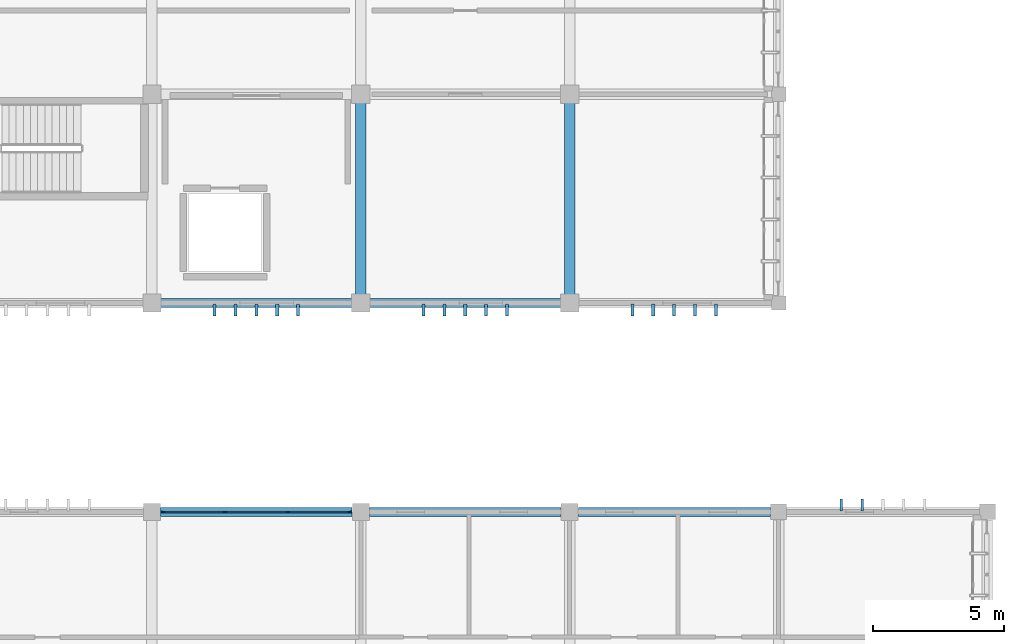
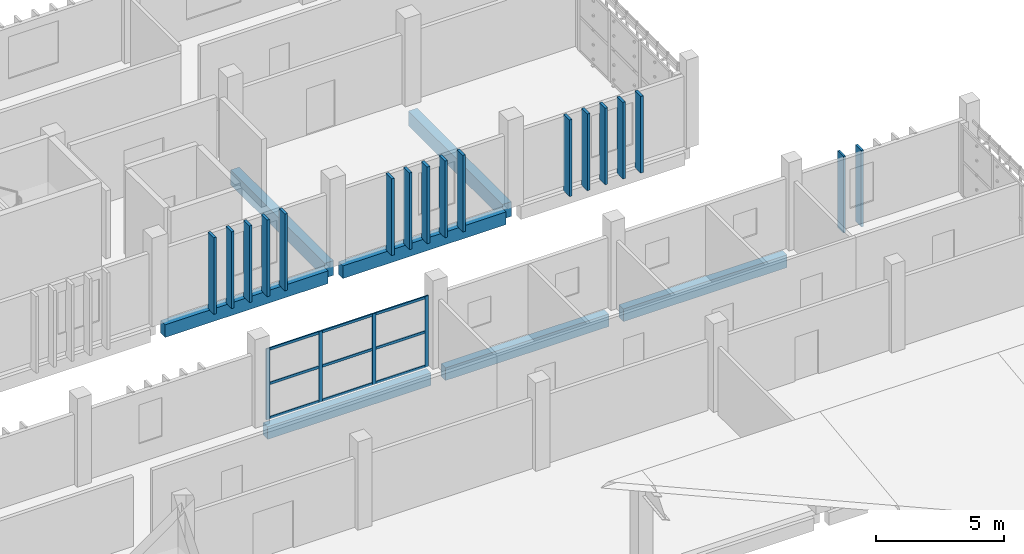
# One storey, part 51 of 83: 30 members, 7 beams, 1 element without a shape of its own.
"""IFC4 building model written with IfcOpenShell, lengths in metres."""

from ifc_helpers import new_model, si_unit, direction, frame, origin, origin_2d, place, context, subcontext, project, spatial, rectangle, extrude, material, layer, layer_set, material_profile, profile_set, type_object, element, aggregate, save


model = new_model("IFC4")

# Units and contexts
model_context = context("Model", 3, precision=1e-05, world=origin(), true_north=direction((0.0, 1.0)))
body_context = subcontext(model_context, "Body", "Model", "MODEL_VIEW")
ifc_project = project(units=[si_unit("LENGTHUNIT", "METRE"), si_unit("AREAUNIT", "SQUARE_METRE"), si_unit("VOLUMEUNIT", "CUBIC_METRE"), si_unit("PLANEANGLEUNIT", "RADIAN"), si_unit("MASSUNIT", "GRAM", prefix="KILO")], contexts=[model_context])

# Site, building, storey
site_placement = place(None, origin())
site = spatial("IfcSite", under=ifc_project, at=site_placement, CompositionType="ELEMENT")
building_placement = place(site_placement, origin())
building = spatial("IfcBuilding", under=site, at=building_placement, Name="Jelvoka-Kovrelna Polytechnic", CompositionType="ELEMENT")
storey_placement = place(building_placement, frame((0.0, 0.0, 13.800048828125)))
storey = spatial("IfcBuildingStorey", under=building, at=storey_placement, Name="L04", CompositionType="ELEMENT", Elevation=13.800048828125)

# Beams
ifc_material_1 = material(Name="Concrete C40/50", Category="concrete")
ifc_material_profile_1 = material_profile(ifc_material_1, rectangle(XDim=0.39990234375, YDim=0.699951171875, at=origin_2d()), Name="RC 400x700")
ifc_profile_set_1 = profile_set([ifc_material_profile_1], Name="Concrete C40/50")
beam_type_1 = type_object("IfcBeamType", Name="Beam_RC_400x700", PredefinedType="BEAM", material=ifc_profile_set_1)
for number, where, z_axis, x_axis, name in (
    (1, (176.0, 56.330078125, -0.60009765625), (0.0, 1.0, 0.0), (-1.0, 0.0, 0.0), "L04 beam 1336"),
    (2, (184.0, 56.330078125, -0.60009765625), (0.0, 1.0, 0.0), (-1.0, 0.0, 0.0), "L04 beam 1338"),
):
    element("IfcBeam", number, at=place(storey_placement, frame(where, z_axis=z_axis, x_axis=x_axis)), inside=storey, type_object=beam_type_1, Name=name, PredefinedType="BEAM", context=body_context, shape_type="SweptSolid", body=[
        extrude(rectangle(XDim=0.39990234375, YDim=0.699951171875, at=origin_2d()), origin(), (0.0, 0.0, 1.0), 7.33984375),
    ])

# Members
ifc_material_2 = material(Name="Precast concrete C40/50", Category="concrete")
ifc_material_profile_2 = material_profile(ifc_material_2, rectangle(XDim=0.10009765625, YDim=0.449951171875, at=origin_2d()), Name="PC 100x450")
ifc_profile_set_2 = profile_set([ifc_material_profile_2], Name="Precast concrete C40/50")
member_type_1 = type_object("IfcMemberType", Name="Louvre_Fin_100x450", PredefinedType="USERDEFINED", material=ifc_profile_set_2)
for number, where, z_axis, x_axis, name in (
    (3, (194.39990234375, 48.264892578125, -0.27001953125), (0.0, 0.0, 1.0), (1.0, 0.0, 0.0), "L04 B2E north vertical solar louvre fin 1001"),
    (4, (195.199951171875, 48.264892578125, -0.27001953125), (0.0, 0.0, 1.0), (1.0, 0.0, 0.0), "L04 B2E north vertical solar louvre fin 1002"),
):
    element("IfcMember", number, at=place(storey_placement, frame(where, z_axis=z_axis, x_axis=x_axis)), inside=storey, type_object=member_type_1, Name=name, ObjectType="SUNSHADE", PredefinedType="USERDEFINED", context=body_context, shape_type="SweptSolid", body=[
        extrude(rectangle(XDim=0.10009765625, YDim=0.449951171875, at=origin_2d()), origin(), (0.0, 0.0, 1.0), 3.64501953125),
    ])
ifc_material_3 = material(Name="Precast concrete C40/50", Category="concrete")
ifc_material_profile_3 = material_profile(ifc_material_3, rectangle(XDim=0.1201171875, YDim=0.449951171875, at=origin_2d()), Name="PC 120x450")
ifc_profile_set_3 = profile_set([ifc_material_profile_3], Name="Precast concrete C40/50")
member_type_2 = type_object("IfcMemberType", Name="Louvre_Fin_120x450", PredefinedType="USERDEFINED", material=ifc_profile_set_3)
for number, where, z_axis, x_axis, name in (
    (5, (170.39990234375, 55.735107421875, -0.27001953125), (0.0, 0.0, 1.0), (1.0, 0.0, 0.0), "L04 B3 south vertical solar louvre fin 1751"),
    (6, (171.199951171875, 55.735107421875, -0.27001953125), (0.0, 0.0, 1.0), (1.0, 0.0, 0.0), "L04 B3 south vertical solar louvre fin 1752"),
    (7, (172.0, 55.735107421875, -0.27001953125), (0.0, 0.0, 1.0), (1.0, 0.0, 0.0), "L04 B3 south vertical solar louvre fin 1753"),
    (8, (172.800048828125, 55.735107421875, -0.27001953125), (0.0, 0.0, 1.0), (1.0, 0.0, 0.0), "L04 B3 south vertical solar louvre fin 1754"),
    (9, (173.60009765625, 55.735107421875, -0.27001953125), (0.0, 0.0, 1.0), (1.0, 0.0, 0.0), "L04 B3 south vertical solar louvre fin 1755"),
    (10, (178.39990234375, 55.735107421875, -0.27001953125), (0.0, 0.0, 1.0), (1.0, 0.0, 0.0), "L04 B3 south vertical solar louvre fin 1761"),
    (11, (179.199951171875, 55.735107421875, -0.27001953125), (0.0, 0.0, 1.0), (1.0, 0.0, 0.0), "L04 B3 south vertical solar louvre fin 1762"),
    (12, (180.0, 55.735107421875, -0.27001953125), (0.0, 0.0, 1.0), (1.0, 0.0, 0.0), "L04 B3 south vertical solar louvre fin 1763"),
    (13, (180.800048828125, 55.735107421875, -0.27001953125), (0.0, 0.0, 1.0), (1.0, 0.0, 0.0), "L04 B3 south vertical solar louvre fin 1764"),
    (14, (181.60009765625, 55.735107421875, -0.27001953125), (0.0, 0.0, 1.0), (1.0, 0.0, 0.0), "L04 B3 south vertical solar louvre fin 1765"),
    (15, (186.39990234375, 55.735107421875, -0.27001953125), (0.0, 0.0, 1.0), (1.0, 0.0, 0.0), "L04 B3 south vertical solar louvre fin 1771"),
    (16, (187.199951171875, 55.735107421875, -0.27001953125), (0.0, 0.0, 1.0), (1.0, 0.0, 0.0), "L04 B3 south vertical solar louvre fin 1772"),
    (17, (188.0, 55.735107421875, -0.27001953125), (0.0, 0.0, 1.0), (1.0, 0.0, 0.0), "L04 B3 south vertical solar louvre fin 1773"),
    (18, (188.800048828125, 55.735107421875, -0.27001953125), (0.0, 0.0, 1.0), (1.0, 0.0, 0.0), "L04 B3 south vertical solar louvre fin 1774"),
    (19, (189.60009765625, 55.735107421875, -0.27001953125), (0.0, 0.0, 1.0), (1.0, 0.0, 0.0), "L04 B3 south vertical solar louvre fin 1775"),
):
    element("IfcMember", number, at=place(storey_placement, frame(where, z_axis=z_axis, x_axis=x_axis)), inside=storey, type_object=member_type_2, Name=name, ObjectType="SUNSHADE", PredefinedType="USERDEFINED", context=body_context, shape_type="SweptSolid", body=[
        extrude(rectangle(XDim=0.1201171875, YDim=0.449951171875, at=origin_2d()), origin(), (0.0, 0.0, 1.0), 3.64501953125),
    ])

# Curtain wall, members
ifc_material_4 = material(Name="Anodised aluminium 6063-T6", Category="aluminium")
ifc_layer = layer(ifc_material_4, 0.159912109375)
ifc_layer_set = layer_set([ifc_layer], Name="Anodised aluminium 6063-T6")
curtain_wall_type = type_object("IfcCurtainWallType", Name="CW_Recessed_A", PredefinedType="NOTDEFINED", material=ifc_layer_set)
curtain_wall_placement = place(storey_placement, origin())
curtain_wall = element("IfcCurtainWall", 20, at=curtain_wall_placement, inside=storey, type_object=curtain_wall_type, Name="L04 glazed curtain wall 065", PredefinedType="NOTDEFINED")
ifc_material_5 = material(Name="Anodised aluminium 6063-T6", Category="aluminium")
ifc_material_profile_4 = material_profile(ifc_material_5, rectangle(XDim=0.06005859375, YDim=0.159912109375, at=origin_2d()), Name="ALU 60x160")
ifc_profile_set_4 = profile_set([ifc_material_profile_4], Name="Anodised aluminium 6063-T6")
member_type_3 = type_object("IfcMemberType", Name="Mullion_M-01", PredefinedType="MULLION", material=ifc_profile_set_4)
member_1_placement = place(storey_placement, frame((168.429931640625, 48.0, -0.02490234375), z_axis=(0.0, 0.0, 1.0), x_axis=(0.0, 1.0, 0.0)))
member_1 = element("IfcMember", 21, at=member_1_placement, type_object=member_type_3, Name="CW-01 mullion 1", PredefinedType="MULLION", context=body_context, shape_type="SweptSolid", body=[
    extrude(rectangle(XDim=0.06005859375, YDim=0.159912109375, at=origin_2d()), origin(), (0.0, 0.0, 1.0), 3.375),
])
member_2_placement = place(storey_placement, frame((170.800048828125, 48.0, -0.02490234375), z_axis=(0.0, 0.0, 1.0), x_axis=(0.0, 1.0, 0.0)))
member_2 = element("IfcMember", 22, at=member_2_placement, type_object=member_type_3, Name="CW-01 mullion 2", PredefinedType="MULLION", context=body_context, shape_type="SweptSolid", body=[
    extrude(rectangle(XDim=0.06005859375, YDim=0.159912109375, at=origin_2d()), origin(), (0.0, 0.0, 1.0), 3.375),
])
member_3_placement = place(storey_placement, frame((173.199951171875, 48.0, -0.02490234375), z_axis=(0.0, 0.0, 1.0), x_axis=(0.0, 1.0, 0.0)))
member_3 = element("IfcMember", 23, at=member_3_placement, type_object=member_type_3, Name="CW-01 mullion 3", PredefinedType="MULLION", context=body_context, shape_type="SweptSolid", body=[
    extrude(rectangle(XDim=0.06005859375, YDim=0.159912109375, at=origin_2d()), origin(), (0.0, 0.0, 1.0), 3.375),
])
member_4_placement = place(storey_placement, frame((175.570068359375, 48.0, -0.02490234375), z_axis=(0.0, 0.0, 1.0), x_axis=(0.0, 1.0, 0.0)))
member_4 = element("IfcMember", 24, at=member_4_placement, type_object=member_type_3, Name="CW-01 mullion 4", PredefinedType="MULLION", context=body_context, shape_type="SweptSolid", body=[
    extrude(rectangle(XDim=0.06005859375, YDim=0.159912109375, at=origin_2d()), origin(), (0.0, 0.0, 1.0), 3.375),
])

# Beams
ifc_material_6 = material(Name="Concrete C40/50", Category="concrete")
ifc_material_profile_5 = material_profile(ifc_material_6, rectangle(XDim=0.35009765625, YDim=0.60009765625, at=origin_2d()), Name="RC 350x600")
ifc_profile_set_5 = profile_set([ifc_material_profile_5], Name="Concrete C40/50")
beam_type_2 = type_object("IfcBeamType", Name="Spandrel_RC_350x600", PredefinedType="SPANDREL", material=ifc_profile_set_5)
for number, where, z_axis, x_axis, name in (
    (25, (168.330078125, 48.0, -0.550048828125), (1.0, 0.0, 0.0), (0.0, 1.0, 0.0), "L04 beam 1234"),
    (26, (176.330078125, 48.0, -0.550048828125), (1.0, 0.0, 0.0), (0.0, 1.0, 0.0), "L04 beam 1235"),
):
    element("IfcBeam", number, at=place(storey_placement, frame(where, z_axis=z_axis, x_axis=x_axis)), inside=storey, type_object=beam_type_2, Name=name, PredefinedType="SPANDREL", context=body_context, shape_type="SweptSolid", body=[
        extrude(rectangle(XDim=0.35009765625, YDim=0.60009765625, at=origin_2d()), origin(), (0.0, 0.0, 1.0), 7.33984375),
    ])
beam_placement = place(storey_placement, frame((184.330078125, 48.0, -0.550048828125), z_axis=(1.0, 0.0, 0.0), x_axis=(0.0, 1.0, 0.0)))
element("IfcBeam", 27, at=beam_placement, inside=storey, type_object=beam_type_2, Name="L04 beam 1236", PredefinedType="SPANDREL", context=body_context, shape_type="SweptSolid", body=[
    extrude(rectangle(XDim=0.35009765625, YDim=0.60009765625, at=origin_2d()), origin(), (0.0, 0.0, 1.0), 7.364990234375),
])
for number, where, z_axis, x_axis, name in (
    (28, (168.330078125, 56.0, -0.550048828125), (1.0, 0.0, 0.0), (0.0, 1.0, 0.0), "L04 beam 1301"),
    (29, (176.330078125, 56.0, -0.550048828125), (1.0, 0.0, 0.0), (0.0, 1.0, 0.0), "L04 beam 1302"),
):
    element("IfcBeam", number, at=place(storey_placement, frame(where, z_axis=z_axis, x_axis=x_axis)), inside=storey, type_object=beam_type_2, Name=name, PredefinedType="SPANDREL", context=body_context, shape_type="SweptSolid", body=[
        extrude(rectangle(XDim=0.35009765625, YDim=0.60009765625, at=origin_2d()), origin(), (0.0, 0.0, 1.0), 7.33984375),
    ])

# Member
ifc_material_7 = material(Name="Anodised aluminium 6063-T6", Category="aluminium")
ifc_material_profile_6 = material_profile(ifc_material_7, rectangle(XDim=0.06005859375, YDim=0.1201171875, at=origin_2d()), Name="ALU 60x120")
ifc_profile_set_6 = profile_set([ifc_material_profile_6], Name="Anodised aluminium 6063-T6")
member_type_4 = type_object("IfcMemberType", Name="Transom_T-01", PredefinedType="USERDEFINED", material=ifc_profile_set_6)
member_5_placement = place(storey_placement, frame((168.4599609375, 48.0, 0.030029296875), z_axis=(1.0, 0.0, 0.0), x_axis=(0.0, 1.0, 0.0)))
member_5 = element("IfcMember", 30, at=member_5_placement, type_object=member_type_4, Name="CW-01 transom 1.1", ObjectType="TRANSOM", PredefinedType="USERDEFINED", context=body_context, shape_type="SweptSolid", body=[
    extrude(rectangle(XDim=0.06005859375, YDim=0.1201171875, at=origin_2d()), origin(), (0.0, 0.0, 1.0), 2.31005859375),
])

member_6_placement = place(storey_placement, frame((168.4599609375, 48.0, 1.662353515625), z_axis=(1.0, 0.0, 0.0), x_axis=(0.0, 1.0, 0.0)))
member_6 = element("IfcMember", 31, at=member_6_placement, type_object=member_type_4, Name="CW-01 transom 1.2", ObjectType="TRANSOM", PredefinedType="USERDEFINED", context=body_context, shape_type="SweptSolid", body=[
    extrude(rectangle(XDim=0.06005859375, YDim=0.1201171875, at=origin_2d()), origin(), (0.0, 0.0, 1.0), 2.31005859375),
])

member_7_placement = place(storey_placement, frame((168.4599609375, 48.0, 3.294921875), z_axis=(1.0, 0.0, 0.0), x_axis=(0.0, 1.0, 0.0)))
member_7 = element("IfcMember", 32, at=member_7_placement, type_object=member_type_4, Name="CW-01 transom 1.3", ObjectType="TRANSOM", PredefinedType="USERDEFINED", context=body_context, shape_type="SweptSolid", body=[
    extrude(rectangle(XDim=0.06005859375, YDim=0.1201171875, at=origin_2d()), origin(), (0.0, 0.0, 1.0), 2.31005859375),
])

member_8_placement = place(storey_placement, frame((170.830078125, 48.0, 0.030029296875), z_axis=(1.0, 0.0, 0.0), x_axis=(0.0, 1.0, 0.0)))
member_8 = element("IfcMember", 33, at=member_8_placement, type_object=member_type_4, Name="CW-01 transom 2.1", ObjectType="TRANSOM", PredefinedType="USERDEFINED", context=body_context, shape_type="SweptSolid", body=[
    extrude(rectangle(XDim=0.06005859375, YDim=0.1201171875, at=origin_2d()), origin(), (0.0, 0.0, 1.0), 2.33984375),
])

member_9_placement = place(storey_placement, frame((170.830078125, 48.0, 1.662353515625), z_axis=(1.0, 0.0, 0.0), x_axis=(0.0, 1.0, 0.0)))
member_9 = element("IfcMember", 34, at=member_9_placement, type_object=member_type_4, Name="CW-01 transom 2.2", ObjectType="TRANSOM", PredefinedType="USERDEFINED", context=body_context, shape_type="SweptSolid", body=[
    extrude(rectangle(XDim=0.06005859375, YDim=0.1201171875, at=origin_2d()), origin(), (0.0, 0.0, 1.0), 2.33984375),
])

member_10_placement = place(storey_placement, frame((170.830078125, 48.0, 3.294921875), z_axis=(1.0, 0.0, 0.0), x_axis=(0.0, 1.0, 0.0)))
member_10 = element("IfcMember", 35, at=member_10_placement, type_object=member_type_4, Name="CW-01 transom 2.3", ObjectType="TRANSOM", PredefinedType="USERDEFINED", context=body_context, shape_type="SweptSolid", body=[
    extrude(rectangle(XDim=0.06005859375, YDim=0.1201171875, at=origin_2d()), origin(), (0.0, 0.0, 1.0), 2.33984375),
])

member_11_placement = place(storey_placement, frame((173.22998046875, 48.0, 0.030029296875), z_axis=(1.0, 0.0, 0.0), x_axis=(0.0, 1.0, 0.0)))
member_11 = element("IfcMember", 36, at=member_11_placement, type_object=member_type_4, Name="CW-01 transom 3.1", ObjectType="TRANSOM", PredefinedType="USERDEFINED", context=body_context, shape_type="SweptSolid", body=[
    extrude(rectangle(XDim=0.06005859375, YDim=0.1201171875, at=origin_2d()), origin(), (0.0, 0.0, 1.0), 2.31005859375),
])

member_12_placement = place(storey_placement, frame((173.22998046875, 48.0, 1.662353515625), z_axis=(1.0, 0.0, 0.0), x_axis=(0.0, 1.0, 0.0)))
member_12 = element("IfcMember", 37, at=member_12_placement, type_object=member_type_4, Name="CW-01 transom 3.2", ObjectType="TRANSOM", PredefinedType="USERDEFINED", context=body_context, shape_type="SweptSolid", body=[
    extrude(rectangle(XDim=0.06005859375, YDim=0.1201171875, at=origin_2d()), origin(), (0.0, 0.0, 1.0), 2.31005859375),
])

member_13_placement = place(storey_placement, frame((173.22998046875, 48.0, 3.294921875), z_axis=(1.0, 0.0, 0.0), x_axis=(0.0, 1.0, 0.0)))
member_13 = element("IfcMember", 38, at=member_13_placement, type_object=member_type_4, Name="CW-01 transom 3.3", ObjectType="TRANSOM", PredefinedType="USERDEFINED", context=body_context, shape_type="SweptSolid", body=[
    extrude(rectangle(XDim=0.06005859375, YDim=0.1201171875, at=origin_2d()), origin(), (0.0, 0.0, 1.0), 2.31005859375),
])

aggregate(curtain_wall, [member_1, member_2, member_3, member_4, member_5, member_6, member_7, member_8, member_9, member_10, member_11, member_12, member_13])

save(model, "model.ifc")
